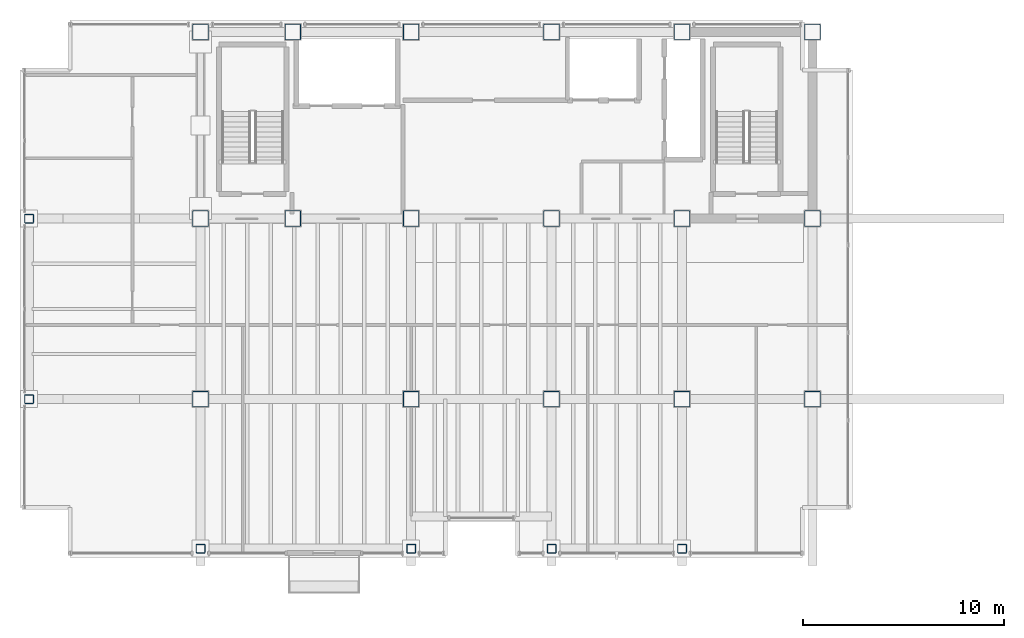
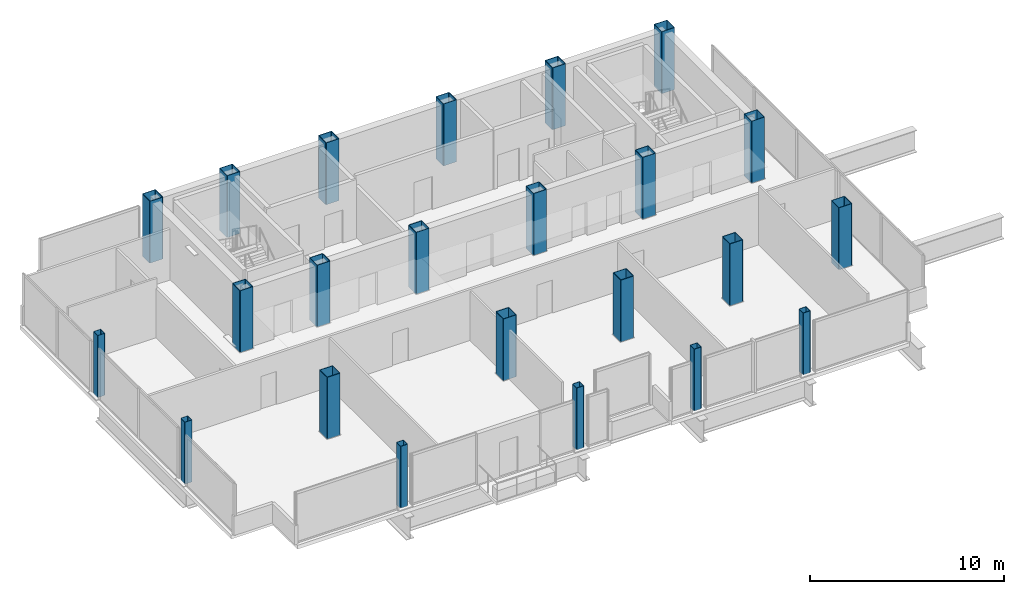
# One storey, part 1 of 22: 23 columns.
"""IFC4 building model written with IfcOpenShell, lengths in metres."""

from ifc_helpers import new_model, si_unit, direction, frame, origin, origin_2d, place, context, subcontext, project, spatial, hollow_rectangle, extrude, material, material_profile, profile_set, type_object, element, save


model = new_model("IFC4")

# Units and contexts
model_context = context("Model", 3, precision=1e-05, world=origin(), true_north=direction((0.0, 1.0)))
body_context = subcontext(model_context, "Body", "Model", "MODEL_VIEW")
ifc_project = project(units=[si_unit("LENGTHUNIT", "METRE"), si_unit("AREAUNIT", "SQUARE_METRE"), si_unit("VOLUMEUNIT", "CUBIC_METRE"), si_unit("PLANEANGLEUNIT", "RADIAN"), si_unit("MASSUNIT", "GRAM", prefix="KILO")], contexts=[model_context])

# Site, building, storey
site_placement = place(None, origin())
site = spatial("IfcSite", under=ifc_project, at=site_placement, CompositionType="ELEMENT")
building_placement = place(site_placement, origin())
building = spatial("IfcBuilding", under=site, at=building_placement, Name="Noeulbin Bourse Tower", CompositionType="ELEMENT")
storey_placement = place(building_placement, frame((0.0, 0.0, 230.60009765625)))
storey = spatial("IfcBuildingStorey", under=building, at=storey_placement, Name="L57", CompositionType="ELEMENT", Elevation=230.60009765625)

# Columns
ifc_material = material(Name="Steel S355", Category="steel")
ifc_material_profile_1 = material_profile(ifc_material, hollow_rectangle(XDim=0.449951171875, YDim=0.449951171875, WallThickness=0.02197265625, InnerFilletRadius=0.02197265625, OuterFilletRadius=0.0439453125, at=origin_2d()), Name="SHS-450x450x22", Category="LoadBearing")
ifc_profile_set_1 = profile_set([ifc_material_profile_1], Name="Steel S355")
column_type_1 = type_object("IfcColumnType", Name="COL-PER-Z3", PredefinedType="COLUMN", material=ifc_profile_set_1)
for number, where, z_axis, x_axis, name in (
    (1, (4.949951171875, 20.0, 0.0), (0.0, 0.0, 1.0), (1.0, 0.0, 0.0), "Tower Perimeter Column COL-PER-Z3 01"),
    (2, (4.949951171875, 29.0, 0.0), (0.0, 0.0, 1.0), (1.0, 0.0, 0.0), "Tower Perimeter Column COL-PER-Z3 02"),
    (3, (13.5, 12.550048828125, 0.0), (0.0, 0.0, 1.0), (1.0, 0.0, 0.0), "Tower Perimeter Column COL-PER-Z3 03"),
    (4, (24.0, 12.550048828125, 0.0), (0.0, 0.0, 1.0), (1.0, 0.0, 0.0), "Tower Perimeter Column COL-PER-Z3 04"),
    (5, (31.0, 12.550048828125, 0.0), (0.0, 0.0, 1.0), (1.0, 0.0, 0.0), "Tower Perimeter Column COL-PER-Z3 05"),
    (6, (37.5, 12.550048828125, 0.0), (0.0, 0.0, 1.0), (1.0, 0.0, 0.0), "Tower Perimeter Column COL-PER-Z3 06"),
):
    element("IfcColumn", number, at=place(storey_placement, frame(where, z_axis=z_axis, x_axis=x_axis)), inside=storey, type_object=column_type_1, Name=name, PredefinedType="COLUMN", context=body_context, shape_type="SweptSolid", body=[
        extrude(hollow_rectangle(XDim=0.449951171875, YDim=0.449951171875, WallThickness=0.02197265625, InnerFilletRadius=0.02197265625, OuterFilletRadius=0.0439453125, at=origin_2d()), origin(), (0.0, 0.0, 1.0), 3.89990234375),
    ])
ifc_material_profile_2 = material_profile(ifc_material, hollow_rectangle(XDim=0.800048828125, YDim=0.800048828125, WallThickness=0.031982421875, InnerFilletRadius=0.01611328125, OuterFilletRadius=0.048095703125, at=origin_2d()), Name="BOX-800x800x32", Category="LoadBearing")
ifc_profile_set_2 = profile_set([ifc_material_profile_2], Name="Steel S355")
column_type_2 = type_object("IfcColumnType", Name="COL-TRK-Z3", PredefinedType="COLUMN", material=ifc_profile_set_2)
for number, where, z_axis, x_axis, name in (
    (7, (13.5, 29.0, 0.0), (0.0, 0.0, 1.0), (1.0, 0.0, 0.0), "Tower Trunk Mega-Column COL-TRK-Z3 01"),
    (8, (13.5, 38.300048828125, 0.0), (0.0, 0.0, 1.0), (1.0, 0.0, 0.0), "Tower Trunk Mega-Column COL-TRK-Z3 02"),
    (9, (18.10009765625, 29.0, 0.0), (0.0, 0.0, 1.0), (1.0, 0.0, 0.0), "Tower Trunk Mega-Column COL-TRK-Z3 03"),
    (10, (18.10009765625, 38.300048828125, 0.0), (0.0, 0.0, 1.0), (1.0, 0.0, 0.0), "Tower Trunk Mega-Column COL-TRK-Z3 04"),
    (11, (24.0, 29.0, 0.0), (0.0, 0.0, 1.0), (1.0, 0.0, 0.0), "Tower Trunk Mega-Column COL-TRK-Z3 05"),
    (12, (24.0, 38.300048828125, 0.0), (0.0, 0.0, 1.0), (1.0, 0.0, 0.0), "Tower Trunk Mega-Column COL-TRK-Z3 06"),
    (13, (31.0, 29.0, 0.0), (0.0, 0.0, 1.0), (1.0, 0.0, 0.0), "Tower Trunk Mega-Column COL-TRK-Z3 07"),
    (14, (31.0, 38.300048828125, 0.0), (0.0, 0.0, 1.0), (1.0, 0.0, 0.0), "Tower Trunk Mega-Column COL-TRK-Z3 08"),
    (15, (37.5, 29.0, 0.0), (0.0, 0.0, 1.0), (1.0, 0.0, 0.0), "Tower Trunk Mega-Column COL-TRK-Z3 09"),
    (16, (37.5, 38.300048828125, 0.0), (0.0, 0.0, 1.0), (1.0, 0.0, 0.0), "Tower Trunk Mega-Column COL-TRK-Z3 10"),
    (17, (44.0, 29.0, 0.0), (0.0, 0.0, 1.0), (1.0, 0.0, 0.0), "Tower Trunk Mega-Column COL-TRK-Z3 11"),
    (18, (44.0, 38.300048828125, 0.0), (0.0, 0.0, 1.0), (1.0, 0.0, 0.0), "Tower Trunk Mega-Column COL-TRK-Z3 12"),
    (19, (13.5, 20.0, 0.0), (0.0, 0.0, 1.0), (1.0, 0.0, 0.0), "Tower Trunk Mega-Column COL-TRK-Z3 13"),
    (20, (24.0, 20.0, 0.0), (0.0, 0.0, 1.0), (1.0, 0.0, 0.0), "Tower Trunk Mega-Column COL-TRK-Z3 14"),
    (21, (31.0, 20.0, 0.0), (0.0, 0.0, 1.0), (1.0, 0.0, 0.0), "Tower Trunk Mega-Column COL-TRK-Z3 15"),
    (22, (37.5, 20.0, 0.0), (0.0, 0.0, 1.0), (1.0, 0.0, 0.0), "Tower Trunk Mega-Column COL-TRK-Z3 16"),
    (23, (44.0, 20.0, 0.0), (0.0, 0.0, 1.0), (1.0, 0.0, 0.0), "Tower Trunk Mega-Column COL-TRK-Z3 17"),
):
    element("IfcColumn", number, at=place(storey_placement, frame(where, z_axis=z_axis, x_axis=x_axis)), inside=storey, type_object=column_type_2, Name=name, PredefinedType="COLUMN", context=body_context, shape_type="SweptSolid", body=[
        extrude(hollow_rectangle(XDim=0.800048828125, YDim=0.800048828125, WallThickness=0.031982421875, InnerFilletRadius=0.01611328125, OuterFilletRadius=0.048095703125, at=origin_2d()), origin(), (0.0, 0.0, 1.0), 3.89990234375),
    ])

save(model, "model.ifc")
